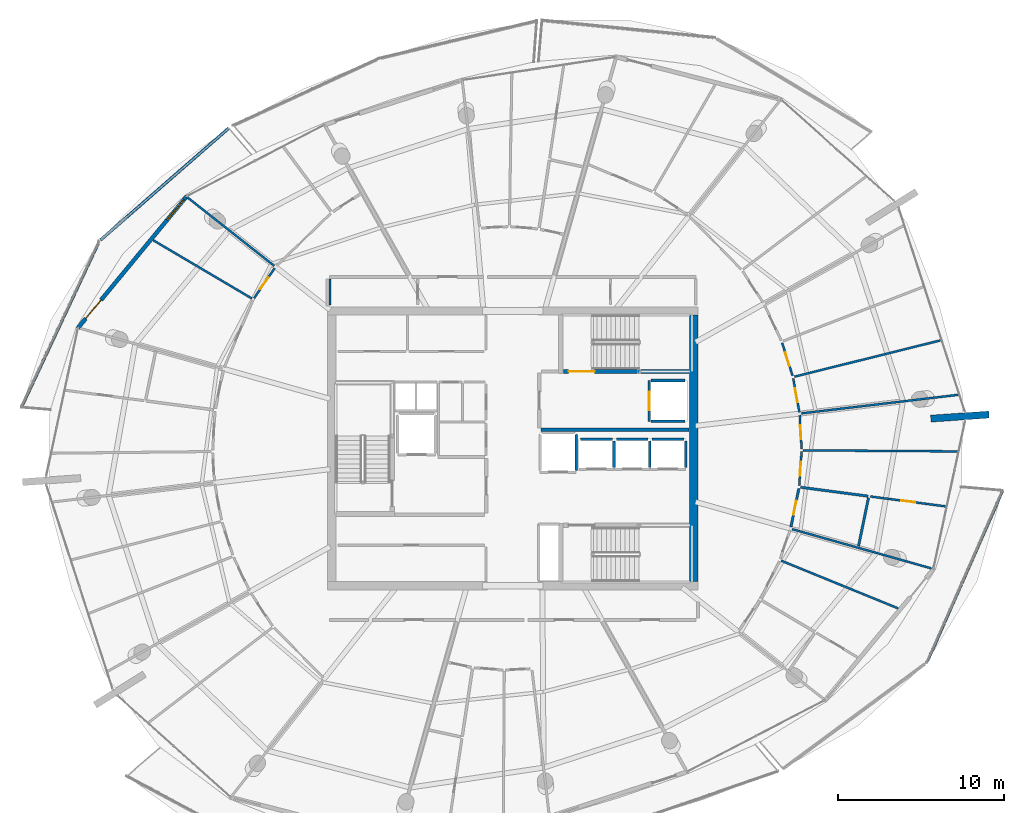
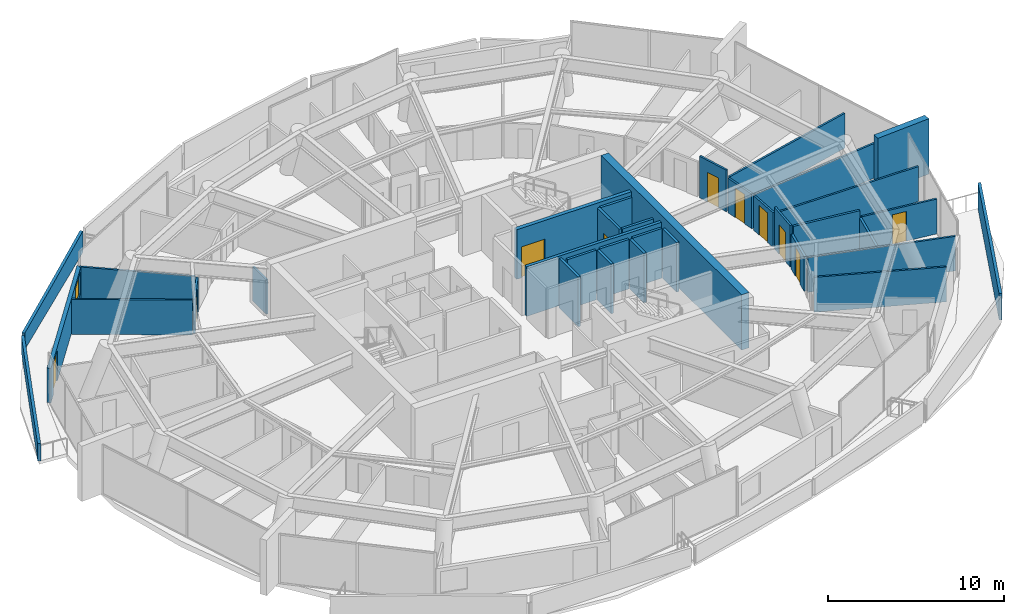
# One storey, part 17 of 24: 35 walls, 10 doors, 1 window, 11 openings.
"""IFC4 building model written with IfcOpenShell, lengths in metres."""

from ifc_helpers import new_model, si_unit, direction, frame, frame_2d, origin, place, context, subcontext, project, spatial, polyline, rectangle, outline, extrude, material, layer, layer_set, type_object, element, fill, save


model = new_model("IFC4")

# Units and contexts
model_context = context("Model", 3, precision=1e-05, world=origin(), true_north=direction((0.0, 1.0)))
body_context = subcontext(model_context, "Body", "Model", "MODEL_VIEW")
ifc_project = project(units=[si_unit("LENGTHUNIT", "METRE"), si_unit("AREAUNIT", "SQUARE_METRE"), si_unit("VOLUMEUNIT", "CUBIC_METRE"), si_unit("PLANEANGLEUNIT", "RADIAN"), si_unit("MASSUNIT", "GRAM", prefix="KILO")], contexts=[model_context])

# Site, building, storey
site_placement = place(None, origin())
site = spatial("IfcSite", under=ifc_project, at=site_placement, CompositionType="ELEMENT")
building_placement = place(site_placement, origin())
building = spatial("IfcBuilding", under=site, at=building_placement, Name="Kazma Halo Residences", CompositionType="ELEMENT")
storey_placement = place(building_placement, frame((0.0, 0.0, 309.85009765625)))
storey = spatial("IfcBuildingStorey", under=building, at=storey_placement, Name="L78", CompositionType="ELEMENT", Elevation=309.85009765625)

# Walls
ifc_material_1 = material(Name="White Concrete C50/60 Balustrade", Category="concrete")
ifc_layer_1 = layer(ifc_material_1, 0.179931640625)
ifc_layer_set_1 = layer_set([ifc_layer_1], Name="White Concrete C50/60 Balustrade")
wall_type_1 = type_object("IfcWallType", Name="WL-BAL-WAVE-180", PredefinedType="PARAPET", material=ifc_layer_set_1)
wall_1_placement = place(storey_placement, frame((31.361328125, 61.241943359375, 0.0), z_axis=(0.0, 0.0, 1.0), x_axis=(-0.7534952544, -0.657453345566, 0.0)))
element("IfcWall", 1, at=wall_1_placement, inside=storey, type_object=wall_type_1, Name="L78 white wave balustrade wall NW.1", PredefinedType="PARAPET", context=body_context, shape_type="SweptSolid", body=[
    extrude(outline(polyline([(0.0, 0.0), (10.21630859375, 0.0), (10.216552734375, 1.14794921875), (5.108154296875, 1.283935546875), (0.0, 1.48291015625), (0.0, 0.0)])), frame((0.0, 0.08984375, 0.0), z_axis=(0.0, -1.0, 0.0), x_axis=(1.0, 0.0, 0.0)), (0.0, 0.0, 1.0), 0.179931640625),
])
wall_2_placement = place(storey_placement, frame((23.522216796875, 54.33740234375, 0.0), z_axis=(0.0, 0.0, 1.0), x_axis=(-0.424215745361, -0.90556115276, 0.0)))
element("IfcWall", 2, at=wall_2_placement, inside=storey, type_object=wall_type_1, Name="L78 white wave balustrade wall NW.2", PredefinedType="PARAPET", context=body_context, shape_type="SweptSolid", body=[
    extrude(outline(polyline([(0.0, 0.0), (10.897216796875, 0.0), (10.897216796875, 1.223876953125), (5.448486328125, 1.126953125), (0.0, 1.14794921875), (0.0, 0.0)])), frame((0.0, 0.08984375, 0.0), z_axis=(0.0, -1.0, 0.0), x_axis=(1.0, 0.0, 0.0)), (0.0, 0.0, 1.0), 0.179931640625),
])
wall_3_placement = place(storey_placement, frame((73.33154296875, 29.227294921875, 0.0), z_axis=(0.0, 0.0, 1.0), x_axis=(0.403444700503, 0.915004029301, 0.0)))
element("IfcWall", 3, at=wall_3_placement, inside=storey, type_object=wall_type_1, Name="L78 white wave balustrade wall SE.2", PredefinedType="PARAPET", context=body_context, shape_type="SweptSolid", body=[
    extrude(outline(polyline([(0.0, 0.0), (11.19140625, 0.0), (11.19140625, 1.755859375), (5.595703125, 1.852783203125), (0.0, 1.831787109375), (0.0, 0.0)])), frame((0.0, 0.08984375, 0.0), z_axis=(0.0, -1.0, 0.0), x_axis=(1.0, 0.0, 0.0)), (0.0, 0.0, 1.0), 0.179931640625),
])
ifc_material_2 = material(Name="Pale Concrete C60/75", Category="concrete")
ifc_layer_2 = layer(ifc_material_2, 0.419921875)
ifc_layer_set_2 = layer_set([ifc_layer_2], Name="Pale Concrete C60/75")
wall_type_2 = type_object("IfcWallType", Name="WL-BLADE-420", PredefinedType="SOLIDWALL", material=ifc_layer_set_2)
wall_4_placement = place(storey_placement, frame((73.534423828125, 43.785400390625, 0.0), z_axis=(0.0, 0.0, 1.0), x_axis=(0.99755930726, 0.069824268692, 0.0)))
element("IfcWall", 4, at=wall_4_placement, inside=storey, type_object=wall_type_2, Name="L78 pale concrete structural blade fin wall BW-04", PredefinedType="SOLIDWALL", context=body_context, shape_type="SweptSolid", body=[
    extrude(rectangle(XDim=3.5, YDim=0.419921875, at=frame_2d((1.75, 0.0))), origin(), (0.0, 0.0, 1.0), 3.849853515625),
])
ifc_material_3 = material(Name="Concrete C60/75", Category="concrete")
ifc_layer_3 = layer(ifc_material_3, 0.5)
ifc_layer_set_3 = layer_set([ifc_layer_3], Name="Concrete C60/75")
wall_type_3 = type_object("IfcWallType", Name="WL-CORE-500", PredefinedType="SHEAR", material=ifc_layer_set_3)
wall_5_placement = place(storey_placement, frame((59.300048828125, 34.0, 0.0), z_axis=(0.0, 0.0, 1.0), x_axis=(0.0, 1.0, 0.0)))
element("IfcWall", 5, at=wall_5_placement, inside=storey, type_object=wall_type_3, Name="L78 central core shear wall E", PredefinedType="SHEAR", context=body_context, shape_type="SweptSolid", body=[
    extrude(rectangle(XDim=16.0, YDim=0.5, at=frame_2d((8.0, 0.0))), origin(), (0.0, 0.0, 1.0), 3.849853515625),
])

# Wall, openings, door, window
ifc_material_4 = material(Name="Insulated Pale-Metal Composite Wall")
ifc_layer_4 = layer(ifc_material_4, 0.239990234375)
ifc_layer_set_4 = layer_set([ifc_layer_4], Name="Insulated Pale-Metal Composite Wall")
wall_type_4 = type_object("IfcWallType", Name="WL-EXT-HOST-240", PredefinedType="SOLIDWALL", material=ifc_layer_set_4)
wall_6_placement = place(storey_placement, frame((28.847412109375, 57.162353515625, 0.0), z_axis=(0.0, 0.0, 1.0), x_axis=(-0.636756692318, -0.77106479286, 0.0)))
wall_6 = element("IfcWall", 6, at=wall_6_placement, inside=storey, type_object=wall_type_4, Name="L78 exterior terrace-access wall B06", PredefinedType="SOLIDWALL", context=body_context, shape_type="SweptSolid", body=[
    extrude(rectangle(XDim=10.317626953125, YDim=0.239990234375, at=frame_2d((5.15869140625, 0.0))), origin(), (0.0, 0.0, 1.0), 2.39990234375),
])
opening_1_placement = place(wall_6_placement, frame((8.09765625, 0.0, 0.0)))
opening_1 = element("IfcOpeningElement", 7, at=opening_1_placement, cuts=wall_6, Name="Opening DTR-1600", PredefinedType="OPENING", context=body_context, shape_type="SweptSolid", body=[
    extrude(rectangle(XDim=1.449951171875, YDim=2.14990234375, at=frame_2d((0.72509765625, 1.074951171875))), frame((0.0, 0.1298828125, 0.0), z_axis=(0.0, -1.0, 0.0), x_axis=(1.0, 0.0, 0.0)), (0.0, 0.0, 1.0), 0.260009765625),
])
opening_2_placement = place(wall_6_placement, frame((0.280029296875, 0.0, 0.64990234375)))
opening_2 = element("IfcOpeningElement", 8, at=opening_2_placement, cuts=wall_6, Name="Opening W-1800", PredefinedType="OPENING", context=body_context, shape_type="SweptSolid", body=[
    extrude(rectangle(XDim=1.60009765625, YDim=1.5, at=frame_2d((0.800048828125, 0.75))), frame((0.0, 0.1298828125, 0.0), z_axis=(0.0, -1.0, 0.0), x_axis=(1.0, 0.0, 0.0)), (0.0, 0.0, 1.0), 0.260009765625),
])
ifc_material_5 = material(Name="Aluminium AW-6063 T6 Double-Glazed Terrace Door", Category="aluminium")
door_type_1 = type_object("IfcDoorType", Name="DR-EXT-TERR-1600", OperationType="NOTDEFINED", PredefinedType="DOOR", material=ifc_material_5)
door_1_placement = place(opening_1_placement, origin())
door_1 = element("IfcDoor", 9, at=door_1_placement, inside=storey, type_object=door_type_1, Name="L78 B06 balcony terrace door", OperationType="DOUBLE_DOOR_SLIDING", OverallHeight=2.14990234375, OverallWidth=1.449951171875, PredefinedType="DOOR", context=body_context, shape_type="SweptSolid", body=[
    extrude(rectangle(XDim=1.449951171875, YDim=2.14990234375, at=frame_2d((0.72509765625, 1.074951171875))), frame((0.0, 0.02490234375, 0.0), z_axis=(0.0, -1.0, 0.0), x_axis=(1.0, 0.0, 0.0)), (0.0, 0.0, 1.0), 0.050048828125),
])
fill(opening_1, door_1)
ifc_material_6 = material(Name="Clear Triple-Silver Low-E Glass in Aluminium AW-6063 T6 Frame", Category="aluminium")
window_type = type_object("IfcWindowType", Name="WIN-RES-1800", PartitioningType="DOUBLE_PANEL_VERTICAL", PredefinedType="WINDOW", material=ifc_material_6)
window_placement = place(opening_2_placement, origin())
window = element("IfcWindow", 10, at=window_placement, inside=storey, type_object=window_type, Name="L78 B06 apartment window", OverallHeight=1.5, OverallWidth=1.60009765625, PartitioningType="SINGLE_PANEL", PredefinedType="WINDOW", context=body_context, shape_type="SweptSolid", body=[
    extrude(rectangle(XDim=1.60009765625, YDim=1.5, at=frame_2d((0.800048828125, 0.75))), frame((0.0, 0.030029296875, 0.0), z_axis=(0.0, -1.0, 0.0), x_axis=(1.0, 0.0, 0.0)), (0.0, 0.0, 1.0), 0.06005859375),
])
fill(opening_2, window)

# Walls
ifc_material_7 = material(Name="Fire-Rated Blockwork Masonry", Category="masonry")
ifc_layer_5 = layer(ifc_material_7, 0.199951171875)
ifc_layer_set_5 = layer_set([ifc_layer_5], Name="Fire-Rated Blockwork Masonry")
wall_type_5 = type_object("IfcWallType", Name="WL-FLB-200", PredefinedType="PARTITIONING", material=ifc_layer_set_5)
wall_7_placement = place(storey_placement, frame((54.5048828125, 40.844970703125, 0.0), z_axis=(0.0, 0.0, 1.0), x_axis=(0.0, 1.0, 0.0)))
element("IfcWall", 11, at=wall_7_placement, inside=storey, type_object=wall_type_5, Name="L78 lift shaft PH-01 side wall E", PredefinedType="PARTITIONING", context=body_context, shape_type="SweptSolid", body=[
    extrude(rectangle(XDim=1.610107421875, YDim=0.159912109375, at=frame_2d((0.80517578125, 0.0))), origin(), (0.0, 0.0, 1.0), 3.449951171875),
])
wall_8_placement = place(storey_placement, frame((52.4951171875, 42.554931640625, 0.0), z_axis=(0.0, 0.0, 1.0), x_axis=(1.0, 0.0, 0.0)))
element("IfcWall", 12, at=wall_8_placement, inside=storey, type_object=wall_type_5, Name="L78 lift shaft PH-01 side wall N", PredefinedType="PARTITIONING", context=body_context, shape_type="SweptSolid", body=[
    extrude(rectangle(XDim=1.909912109375, YDim=0.159912109375, at=frame_2d((0.955078125, 0.0))), origin(), (0.0, 0.0, 1.0), 3.449951171875),
])
wall_9_placement = place(storey_placement, frame((56.655029296875, 40.844970703125, 0.0), z_axis=(0.0, 0.0, 1.0), x_axis=(0.0, 1.0, 0.0)))
element("IfcWall", 13, at=wall_9_placement, inside=storey, type_object=wall_type_5, Name="L78 lift shaft PH-02 side wall E", PredefinedType="PARTITIONING", context=body_context, shape_type="SweptSolid", body=[
    extrude(rectangle(XDim=1.610107421875, YDim=0.159912109375, at=frame_2d((0.80517578125, 0.0))), origin(), (0.0, 0.0, 1.0), 3.449951171875),
])
wall_10_placement = place(storey_placement, frame((54.64501953125, 42.554931640625, 0.0), z_axis=(0.0, 0.0, 1.0), x_axis=(1.0, 0.0, 0.0)))
element("IfcWall", 14, at=wall_10_placement, inside=storey, type_object=wall_type_5, Name="L78 lift shaft PH-02 side wall N", PredefinedType="PARTITIONING", context=body_context, shape_type="SweptSolid", body=[
    extrude(rectangle(XDim=1.909912109375, YDim=0.159912109375, at=frame_2d((0.955078125, 0.0))), origin(), (0.0, 0.0, 1.0), 3.449951171875),
])
wall_11_placement = place(storey_placement, frame((58.804931640625, 40.844970703125, 0.0), z_axis=(0.0, 0.0, 1.0), x_axis=(0.0, 1.0, 0.0)))
element("IfcWall", 15, at=wall_11_placement, inside=storey, type_object=wall_type_5, Name="L78 lift shaft PH-03 side wall E", PredefinedType="PARTITIONING", context=body_context, shape_type="SweptSolid", body=[
    extrude(rectangle(XDim=1.610107421875, YDim=0.159912109375, at=frame_2d((0.80517578125, 0.0))), origin(), (0.0, 0.0, 1.0), 3.449951171875),
])
wall_12_placement = place(storey_placement, frame((56.794921875, 42.554931640625, 0.0), z_axis=(0.0, 0.0, 1.0), x_axis=(1.0, 0.0, 0.0)))
element("IfcWall", 16, at=wall_12_placement, inside=storey, type_object=wall_type_5, Name="L78 lift shaft PH-03 side wall N", PredefinedType="PARTITIONING", context=body_context, shape_type="SweptSolid", body=[
    extrude(rectangle(XDim=1.91015625, YDim=0.159912109375, at=frame_2d((0.955078125, 0.0))), origin(), (0.0, 0.0, 1.0), 3.449951171875),
])

# Wall, opening, door
wall_13_placement = place(storey_placement, frame((56.6201171875, 46.080078125, 0.0), z_axis=(0.0, 0.0, 1.0), x_axis=(0.0, -1.0, 0.0)))
wall_13 = element("IfcWall", 17, at=wall_13_placement, inside=storey, type_object=wall_type_5, Name="L78 lift shaft FL-02 front wall", PredefinedType="PARTITIONING", context=body_context, shape_type="SweptSolid", body=[
    extrude(rectangle(XDim=2.4599609375, YDim=0.159912109375, at=frame_2d((1.22998046875, 0.0))), origin(), (0.0, 0.0, 1.0), 3.449951171875),
])
opening_3_placement = place(wall_13_placement, frame((0.679931640625, 0.0, 0.0)))
opening_3 = element("IfcOpeningElement", 18, at=opening_3_placement, cuts=wall_13, Name="Opening LD-FL-02", PredefinedType="OPENING", context=body_context, shape_type="SweptSolid", body=[
    extrude(rectangle(XDim=1.10009765625, YDim=2.10009765625, at=frame_2d((0.550048828125, 1.050048828125))), frame((0.0, 0.08984375, 0.0), z_axis=(0.0, -1.0, 0.0), x_axis=(1.0, 0.0, 0.0)), (0.0, 0.0, 1.0), 0.179931640625),
])
ifc_material_8 = material(Name="Stainless Steel Fire-Rated", Category="steel")
door_type_2 = type_object("IfcDoorType", Name="DR-LIFT-SLD-1100", OperationType="DOUBLE_DOOR_SLIDING", PredefinedType="DOOR", material=ifc_material_8)
door_2_placement = place(opening_3_placement, origin())
door_2 = element("IfcDoor", 19, at=door_2_placement, inside=storey, type_object=door_type_2, Name="L78 lift FL-02 sliding landing door", OperationType="DOUBLE_DOOR_SLIDING", OverallHeight=2.10009765625, OverallWidth=1.10009765625, PredefinedType="DOOR", context=body_context, shape_type="SweptSolid", body=[
    extrude(rectangle(XDim=1.10009765625, YDim=2.10009765625, at=frame_2d((0.550048828125, 1.050048828125))), frame((0.0, 0.02490234375, 0.0), z_axis=(0.0, -1.0, 0.0), x_axis=(1.0, 0.0, 0.0)), (0.0, 0.0, 1.0), 0.050048828125),
])
fill(opening_3, door_2)

# Walls
for number, where, z_axis, x_axis, name in (
    (20, (56.719970703125, 46.080078125, 0.0), (0.0, 0.0, 1.0), (1.0, 0.0, 0.0), "L78 lift shaft FL-02 side wall N"),
    (21, (56.719970703125, 43.6201171875, 0.0), (0.0, 0.0, 1.0), (1.0, 0.0, 0.0), "L78 lift shaft FL-02 side wall S"),
):
    element("IfcWall", number, at=place(storey_placement, frame(where, z_axis=z_axis, x_axis=x_axis)), inside=storey, type_object=wall_type_5, Name=name, PredefinedType="PARTITIONING", context=body_context, shape_type="SweptSolid", body=[
        extrude(rectangle(XDim=2.06005859375, YDim=0.159912109375, at=frame_2d((1.030029296875, 0.0))), origin(), (0.0, 0.0, 1.0), 3.449951171875),
    ])
wall_14_placement = place(storey_placement, frame((52.22998046875, 40.669921875, 0.0), z_axis=(0.0, 0.0, 1.0), x_axis=(0.0, 1.0, 0.0)))
element("IfcWall", 22, at=wall_14_placement, inside=storey, type_object=wall_type_5, Name="L78 lift shaft SV-01 side wall E", PredefinedType="PARTITIONING", context=body_context, shape_type="SweptSolid", body=[
    extrude(rectangle(XDim=2.16015625, YDim=0.159912109375, at=frame_2d((1.080078125, 0.0))), origin(), (0.0, 0.0, 1.0), 3.449951171875),
])
wall_15_placement = place(storey_placement, frame((50.1201171875, 43.1201171875, 0.0), z_axis=(0.0, 0.0, 1.0), x_axis=(1.0, 0.0, 0.0)))
element("IfcWall", 23, at=wall_15_placement, inside=storey, type_object=wall_type_5, Name="L78 east firefighting lobby south smoke wall", PredefinedType="PARTITIONING", context=body_context, shape_type="SweptSolid", body=[
    extrude(rectangle(XDim=8.8798828125, YDim=0.199951171875, at=frame_2d((4.43994140625, 0.0))), origin(), (0.0, 0.0, 1.0), 3.449951171875),
])
ifc_material_9 = material(Name="Gypsum Plasterboard Partition")
ifc_layer_6 = layer(ifc_material_9, 0.125)
ifc_layer_set_6 = layer_set([ifc_layer_6], Name="Gypsum Plasterboard Partition")
wall_type_6 = type_object("IfcWallType", Name="WL-PART-125", PredefinedType="PARTITIONING", material=ifc_layer_set_6)
wall_16_placement = place(storey_placement, frame((37.43994140625, 50.6201171875, 0.0), z_axis=(0.0, 0.0, 1.0), x_axis=(0.0, 1.0, 0.0)))
element("IfcWall", 24, at=wall_16_placement, inside=storey, type_object=wall_type_6, Name="L78 west linen end wall", PredefinedType="PARTITIONING", context=body_context, shape_type="SweptSolid", body=[
    extrude(rectangle(XDim=1.539794921875, YDim=0.125, at=frame_2d((0.77001953125, 0.0))), origin(), (0.0, 0.0, 1.0), 2.406982421875),
])
wall_17_placement = place(storey_placement, frame((34.090576171875, 52.96533203125, 0.0), z_axis=(0.0, 0.0, 1.0), x_axis=(-0.785312143476, 0.619100022056, 0.0)))
element("IfcWall", 25, at=wall_17_placement, inside=storey, type_object=wall_type_6, Name="L78 Apartment 2 radial partition 5", PredefinedType="PARTITIONING", context=body_context, shape_type="SweptSolid", body=[
    extrude(rectangle(XDim=6.692138671875, YDim=0.125, at=frame_2d((3.34619140625, 0.0))), origin(), (0.0, 0.0, 1.0), 2.406982421875),
])
wall_18_placement = place(storey_placement, frame((32.756103515625, 50.9990234375, 0.0), z_axis=(0.0, 0.0, 1.0), x_axis=(-0.861142710643, 0.508363287332, 0.0)))
element("IfcWall", 26, at=wall_18_placement, inside=storey, type_object=wall_type_6, Name="L78 Apartment 2 mid-bay wall 5", PredefinedType="PARTITIONING", context=body_context, shape_type="SweptSolid", body=[
    extrude(rectangle(XDim=6.899658203125, YDim=0.125, at=frame_2d((3.44970703125, 0.0))), origin(), (0.0, 0.0, 1.0), 2.4248046875),
])

# Wall, opening, door
wall_19_placement = place(storey_placement, frame((34.112548828125, 52.821044921875, 0.0), z_axis=(0.0, 0.0, 1.0), x_axis=(-0.56495242949, -0.825123477071, 0.0)))
wall_19 = element("IfcWall", 27, at=wall_19_placement, inside=storey, type_object=wall_type_6, Name="L78 Apartment 2 Primary Bedroom hall wall", PredefinedType="PARTITIONING", context=body_context, shape_type="SweptSolid", body=[
    extrude(rectangle(XDim=2.18359375, YDim=0.125, at=frame_2d((1.091796875, 0.0))), origin(), (0.0, 0.0, 1.0), 2.406982421875),
])
opening_4_placement = place(wall_19_placement, frame((0.666748046875, 0.0, 0.0)))
opening_4 = element("IfcOpeningElement", 28, at=opening_4_placement, cuts=wall_19, Name="Opening DB-900", PredefinedType="OPENING", context=body_context, shape_type="SweptSolid", body=[
    extrude(rectangle(XDim=0.85009765625, YDim=2.06005859375, at=frame_2d((0.425048828125, 1.030029296875))), frame((0.0, 0.072509765625, 0.0), z_axis=(0.0, -1.0, 0.0), x_axis=(1.0, 0.0, 0.0)), (0.0, 0.0, 1.0), 0.14501953125),
])
ifc_material_10 = material(Name="Moisture-Sealed Timber Leaf", Category="wood")
door_type_3 = type_object("IfcDoorType", Name="DR-BTH-900", OperationType="NOTDEFINED", PredefinedType="DOOR", material=ifc_material_10)
door_3_placement = place(opening_4_placement, origin())
door_3 = element("IfcDoor", 29, at=door_3_placement, inside=storey, type_object=door_type_3, Name="L78 Apartment 2 Primary Bedroom door", OperationType="SINGLE_SWING_RIGHT", OverallHeight=2.06005859375, OverallWidth=0.85009765625, PredefinedType="DOOR", context=body_context, shape_type="SweptSolid", body=[
    extrude(rectangle(XDim=0.85009765625, YDim=2.06005859375, at=frame_2d((0.425048828125, 1.030029296875))), frame((0.0, 0.02490234375, 0.0), z_axis=(0.0, -1.0, 0.0), x_axis=(1.0, 0.0, 0.0)), (0.0, 0.0, 1.0), 0.050048828125),
])
fill(opening_4, door_3)

# Walls
wall_20_placement = place(storey_placement, frame((64.54345703125, 35.254150390625, 0.0), z_axis=(0.0, 0.0, 1.0), x_axis=(0.925976301028, -0.377581633471, 0.0)))
element("IfcWall", 30, at=wall_20_placement, inside=storey, type_object=wall_type_6, Name="L78 Apartment 4 suite divider 13", PredefinedType="PARTITIONING", context=body_context, shape_type="SweptSolid", body=[
    extrude(rectangle(XDim=7.59814453125, YDim=0.125, at=frame_2d((3.799072265625, 0.0))), origin(), (0.0, 0.0, 1.0), 2.4248046875),
])
wall_21_placement = place(storey_placement, frame((65.204833984375, 37.147705078125, 0.0), z_axis=(0.0, 0.0, 1.0), x_axis=(0.962453251117, -0.27144748924, 0.0)))
element("IfcWall", 31, at=wall_21_placement, inside=storey, type_object=wall_type_6, Name="L78 Apartment 4 radial partition 14", PredefinedType="PARTITIONING", context=body_context, shape_type="SweptSolid", body=[
    extrude(rectangle(XDim=8.69189453125, YDim=0.125, at=frame_2d((4.345947265625, 0.0))), origin(), (0.0, 0.0, 1.0), 2.406982421875),
])

# Wall, opening, door
wall_22_placement = place(storey_placement, frame((69.896240234375, 39.111328125, 0.0), z_axis=(0.0, 0.0, 1.0), x_axis=(0.991414082931, -0.130759765088, 0.0)))
wall_22 = element("IfcWall", 32, at=wall_22_placement, inside=storey, type_object=wall_type_6, Name="L78 Apartment 4 Secondary Walk-In Wardrobe partition wall", PredefinedType="PARTITIONING", context=body_context, shape_type="SweptSolid", body=[
    extrude(rectangle(XDim=4.613525390625, YDim=0.125, at=frame_2d((2.306640625, 0.0))), origin(), (0.0, 0.0, 1.0), 2.4248046875),
])
opening_5_placement = place(wall_22_placement, frame((1.881591796875, 0.0, 0.0)))
opening_5 = element("IfcOpeningElement", 33, at=opening_5_placement, cuts=wall_22, Name="Opening DB-900", PredefinedType="OPENING", context=body_context, shape_type="SweptSolid", body=[
    extrude(rectangle(XDim=0.85009765625, YDim=2.06005859375, at=frame_2d((0.425048828125, 1.030029296875))), frame((0.0, 0.072509765625, 0.0), z_axis=(0.0, -1.0, 0.0), x_axis=(1.0, 0.0, 0.0)), (0.0, 0.0, 1.0), 0.14501953125),
])
door_4_placement = place(opening_5_placement, origin())
door_4 = element("IfcDoor", 34, at=door_4_placement, inside=storey, type_object=door_type_3, Name="L78 Apartment 4 Secondary Walk-In Wardrobe door", OperationType="SINGLE_SWING_RIGHT", OverallHeight=2.06005859375, OverallWidth=0.85009765625, PredefinedType="DOOR", context=body_context, shape_type="SweptSolid", body=[
    extrude(rectangle(XDim=0.85009765625, YDim=2.06005859375, at=frame_2d((0.425048828125, 1.030029296875))), frame((0.0, 0.02490234375, 0.0), z_axis=(0.0, -1.0, 0.0), x_axis=(1.0, 0.0, 0.0)), (0.0, 0.0, 1.0), 0.050048828125),
])
fill(opening_5, door_4)

# Wall
wall_23_placement = place(storey_placement, frame((65.865478515625, 41.880615234375, 0.0), z_axis=(0.0, 0.0, 1.0), x_axis=(0.999977842534, -0.006656909239, 0.0)))
element("IfcWall", 35, at=wall_23_placement, inside=storey, type_object=wall_type_6, Name="L78 Apartment 4 suite divider 14", PredefinedType="PARTITIONING", context=body_context, shape_type="SweptSolid", body=[
    extrude(rectangle(XDim=9.3154296875, YDim=0.125, at=frame_2d((4.65771484375, 0.0))), origin(), (0.0, 0.0, 1.0), 2.4248046875),
])

# Wall, opening, door
wall_24_placement = place(storey_placement, frame((65.62939453125, 39.764892578125, 0.0), z_axis=(0.0, 0.0, 1.0), x_axis=(0.068884177228, 0.997624663953, 0.0)))
wall_24 = element("IfcWall", 36, at=wall_24_placement, inside=storey, type_object=wall_type_6, Name="L78 Apartment 4 East Private Study hall wall", PredefinedType="PARTITIONING", context=body_context, shape_type="SweptSolid", body=[
    extrude(rectangle(XDim=2.04150390625, YDim=0.125, at=frame_2d((1.020751953125, 0.0))), origin(), (0.0, 0.0, 1.0), 2.889892578125),
])
opening_6_placement = place(wall_24_placement, frame((0.595703125, 0.0, 0.0)))
opening_6 = element("IfcOpeningElement", 37, at=opening_6_placement, cuts=wall_24, Name="Opening DB-900", PredefinedType="OPENING", context=body_context, shape_type="SweptSolid", body=[
    extrude(rectangle(XDim=0.85009765625, YDim=2.06005859375, at=frame_2d((0.425048828125, 1.030029296875))), frame((0.0, 0.072509765625, 0.0), z_axis=(0.0, -1.0, 0.0), x_axis=(1.0, 0.0, 0.0)), (0.0, 0.0, 1.0), 0.14501953125),
])
door_5_placement = place(opening_6_placement, origin())
door_5 = element("IfcDoor", 38, at=door_5_placement, inside=storey, type_object=door_type_3, Name="L78 Apartment 4 East Private Study door", OperationType="SINGLE_SWING_LEFT", OverallHeight=2.06005859375, OverallWidth=0.85009765625, PredefinedType="DOOR", context=body_context, shape_type="SweptSolid", body=[
    extrude(rectangle(XDim=0.85009765625, YDim=2.06005859375, at=frame_2d((0.425048828125, 1.030029296875))), frame((0.0, 0.02490234375, 0.0), z_axis=(0.0, -1.0, 0.0), x_axis=(1.0, 0.0, 0.0)), (0.0, 0.0, 1.0), 0.050048828125),
])
fill(opening_6, door_5)

wall_25_placement = place(storey_placement, frame((65.771240234375, 41.961181640625, 0.0), z_axis=(0.0, 0.0, 1.0), x_axis=(-0.055523268632, 0.998457393503, 0.0)))
wall_25 = element("IfcWall", 39, at=wall_25_placement, inside=storey, type_object=wall_type_6, Name="L78 Apartment 4 West Master Bedroom hall wall", PredefinedType="PARTITIONING", context=body_context, shape_type="SweptSolid", body=[
    extrude(rectangle(XDim=2.031494140625, YDim=0.125, at=frame_2d((1.015625, 0.0))), origin(), (0.0, 0.0, 1.0), 2.406982421875),
])
opening_7_placement = place(wall_25_placement, frame((0.5908203125, 0.0, 0.0)))
opening_7 = element("IfcOpeningElement", 40, at=opening_7_placement, cuts=wall_25, Name="Opening DB-900", PredefinedType="OPENING", context=body_context, shape_type="SweptSolid", body=[
    extrude(rectangle(XDim=0.85009765625, YDim=2.06005859375, at=frame_2d((0.425048828125, 1.030029296875))), frame((0.0, 0.072509765625, 0.0), z_axis=(0.0, -1.0, 0.0), x_axis=(1.0, 0.0, 0.0)), (0.0, 0.0, 1.0), 0.14501953125),
])
door_6_placement = place(opening_7_placement, origin())
door_6 = element("IfcDoor", 41, at=door_6_placement, inside=storey, type_object=door_type_3, Name="L78 Apartment 4 West Master Bedroom door", OperationType="SINGLE_SWING_RIGHT", OverallHeight=2.06005859375, OverallWidth=0.85009765625, PredefinedType="DOOR", context=body_context, shape_type="SweptSolid", body=[
    extrude(rectangle(XDim=0.85009765625, YDim=2.06005859375, at=frame_2d((0.425048828125, 1.030029296875))), frame((0.0, 0.02490234375, 0.0), z_axis=(0.0, -1.0, 0.0), x_axis=(1.0, 0.0, 0.0)), (0.0, 0.0, 1.0), 0.050048828125),
])
fill(opening_7, door_6)

# Walls
wall_26_placement = place(storey_placement, frame((65.752197265625, 44.10107421875, 0.0), z_axis=(0.0, 0.0, 1.0), x_axis=(0.993067764639, 0.117543246658, 0.0)))
element("IfcWall", 42, at=wall_26_placement, inside=storey, type_object=wall_type_6, Name="L78 Apartment 4 radial partition 15", PredefinedType="PARTITIONING", context=body_context, shape_type="SweptSolid", body=[
    extrude(rectangle(XDim=9.5439453125, YDim=0.125, at=frame_2d((4.77197265625, 0.0))), origin(), (0.0, 0.0, 1.0), 2.406982421875),
])
wall_27_placement = place(storey_placement, frame((65.339111328125, 46.30712890625, 0.0), z_axis=(0.0, 0.0, 1.0), x_axis=(0.970504630961, 0.241082478175, 0.0)))
element("IfcWall", 43, at=wall_27_placement, inside=storey, type_object=wall_type_6, Name="L78 Apartment 4 bay wall 1 15", PredefinedType="PARTITIONING", context=body_context, shape_type="SweptSolid", body=[
    extrude(rectangle(XDim=9.093994140625, YDim=0.125, at=frame_2d((4.546875, 0.0))), origin(), (0.0, 0.0, 1.0), 2.4248046875),
])

# Wall, opening, door
wall_28_placement = place(storey_placement, frame((65.638427734375, 44.16796875, 0.0), z_axis=(0.0, 0.0, 1.0), x_axis=(-0.179642120357, 0.983732030887, 0.0)))
wall_28 = element("IfcWall", 44, at=wall_28_placement, inside=storey, type_object=wall_type_6, Name="L78 Apartment 4 North Bedroom hall wall", PredefinedType="PARTITIONING", context=body_context, shape_type="SweptSolid", body=[
    extrude(rectangle(XDim=2.072509765625, YDim=0.125, at=frame_2d((1.0361328125, 0.0))), origin(), (0.0, 0.0, 1.0), 2.406982421875),
])
opening_8_placement = place(wall_28_placement, frame((0.611083984375, 0.0, 0.0)))
opening_8 = element("IfcOpeningElement", 45, at=opening_8_placement, cuts=wall_28, Name="Opening DB-900", PredefinedType="OPENING", context=body_context, shape_type="SweptSolid", body=[
    extrude(rectangle(XDim=0.85009765625, YDim=2.06005859375, at=frame_2d((0.425048828125, 1.030029296875))), frame((0.0, 0.072509765625, 0.0), z_axis=(0.0, -1.0, 0.0), x_axis=(1.0, 0.0, 0.0)), (0.0, 0.0, 1.0), 0.14501953125),
])
door_7_placement = place(opening_8_placement, origin())
door_7 = element("IfcDoor", 46, at=door_7_placement, inside=storey, type_object=door_type_3, Name="L78 Apartment 4 North Bedroom door", OperationType="SINGLE_SWING_LEFT", OverallHeight=2.06005859375, OverallWidth=0.85009765625, PredefinedType="DOOR", context=body_context, shape_type="SweptSolid", body=[
    extrude(rectangle(XDim=0.85009765625, YDim=2.06005859375, at=frame_2d((0.425048828125, 1.030029296875))), frame((0.0, 0.02490234375, 0.0), z_axis=(0.0, -1.0, 0.0), x_axis=(1.0, 0.0, 0.0)), (0.0, 0.0, 1.0), 0.050048828125),
])
fill(opening_8, door_7)

wall_29_placement = place(storey_placement, frame((65.2275390625, 46.36181640625, 0.0), z_axis=(0.0, 0.0, 1.0), x_axis=(-0.301520440564, 0.953459712795, 0.0)))
wall_29 = element("IfcWall", 47, at=wall_29_placement, inside=storey, type_object=wall_type_6, Name="L78 Apartment 4 South Study hall wall", PredefinedType="PARTITIONING", context=body_context, shape_type="SweptSolid", body=[
    extrude(rectangle(XDim=2.072021484375, YDim=0.125, at=frame_2d((1.0361328125, 0.0))), origin(), (0.0, 0.0, 1.0), 2.889892578125),
])
opening_9_placement = place(wall_29_placement, frame((0.611083984375, 0.0, 0.0)))
opening_9 = element("IfcOpeningElement", 48, at=opening_9_placement, cuts=wall_29, Name="Opening DB-900", PredefinedType="OPENING", context=body_context, shape_type="SweptSolid", body=[
    extrude(rectangle(XDim=0.85009765625, YDim=2.06005859375, at=frame_2d((0.425048828125, 1.030029296875))), frame((0.0, 0.072509765625, 0.0), z_axis=(0.0, -1.0, 0.0), x_axis=(1.0, 0.0, 0.0)), (0.0, 0.0, 1.0), 0.14501953125),
])
door_8_placement = place(opening_9_placement, origin())
door_8 = element("IfcDoor", 49, at=door_8_placement, inside=storey, type_object=door_type_3, Name="L78 Apartment 4 South Study door", OperationType="SINGLE_SWING_RIGHT", OverallHeight=2.06005859375, OverallWidth=0.85009765625, PredefinedType="DOOR", context=body_context, shape_type="SweptSolid", body=[
    extrude(rectangle(XDim=0.85009765625, YDim=2.06005859375, at=frame_2d((0.425048828125, 1.030029296875))), frame((0.0, 0.02490234375, 0.0), z_axis=(0.0, -1.0, 0.0), x_axis=(1.0, 0.0, 0.0)), (0.0, 0.0, 1.0), 0.050048828125),
])
fill(opening_9, door_8)

ifc_material_11 = material(Name="Concrete C50/60", Category="concrete")
ifc_layer_7 = layer(ifc_material_11, 0.25)
ifc_layer_set_7 = layer_set([ifc_layer_7], Name="Concrete C50/60")
wall_type_7 = type_object("IfcWallType", Name="WL-SHF-250", PredefinedType="SOLIDWALL", material=ifc_layer_set_7)
wall_30_placement = place(storey_placement, frame((51.47998046875, 46.6201171875, 0.0), z_axis=(0.0, 0.0, 1.0), x_axis=(1.0, 0.0, 0.0)))
wall_30 = element("IfcWall", 50, at=wall_30_placement, inside=storey, type_object=wall_type_7, Name="L78 exit stair ST-02 enclosure wall", PredefinedType="SOLIDWALL", context=body_context, shape_type="SweptSolid", body=[
    extrude(rectangle(XDim=7.5400390625, YDim=0.25, at=frame_2d((3.77001953125, 0.0))), origin(), (0.0, 0.0, 1.0), 3.449951171875),
])
opening_10_placement = place(wall_30_placement, frame((0.300048828125, 0.0, 0.0)))
opening_10 = element("IfcOpeningElement", 51, at=opening_10_placement, cuts=wall_30, Name="Opening D-ST2", PredefinedType="OPENING", context=body_context, shape_type="SweptSolid", body=[
    extrude(rectangle(XDim=1.550048828125, YDim=2.14990234375, at=frame_2d((0.77490234375, 1.074951171875))), frame((0.0, 0.135009765625, 0.0), z_axis=(0.0, -1.0, 0.0), x_axis=(1.0, 0.0, 0.0)), (0.0, 0.0, 1.0), 0.27001953125),
])
ifc_material_12 = material(Name="Fire-Rated Double Steel Leaf", Category="steel")
door_type_4 = type_object("IfcDoorType", Name="DR-FD90-1550", OperationType="NOTDEFINED", PredefinedType="DOOR", material=ifc_material_12)
door_9_placement = place(opening_10_placement, origin())
door_9 = element("IfcDoor", 52, at=door_9_placement, inside=storey, type_object=door_type_4, Name="L78 exit stair ST-02 fire door", OperationType="DOUBLE_DOOR_SINGLE_SWING", OverallHeight=2.14990234375, OverallWidth=1.550048828125, PredefinedType="DOOR", context=body_context, shape_type="SweptSolid", body=[
    extrude(rectangle(XDim=1.550048828125, YDim=2.14990234375, at=frame_2d((0.77490234375, 1.074951171875))), frame((0.0, 0.02490234375, 0.0), z_axis=(0.0, -1.0, 0.0), x_axis=(1.0, 0.0, 0.0)), (0.0, 0.0, 1.0), 0.050048828125),
])
fill(opening_10, door_9)

ifc_material_13 = material(Name="Moisture-Resistant Gypsum")
ifc_layer_8 = layer(ifc_material_13, 0.14990234375)
ifc_layer_set_8 = layer_set([ifc_layer_8], Name="Moisture-Resistant Gypsum")
wall_type_8 = type_object("IfcWallType", Name="WL-WET-150", PredefinedType="PARTITIONING", material=ifc_layer_set_8)
wall_31_placement = place(storey_placement, frame((65.12890625, 37.272705078125, 0.0), z_axis=(0.0, 0.0, 1.0), x_axis=(0.201597524987, 0.979468446617, 0.0)))
wall_31 = element("IfcWall", 53, at=wall_31_placement, inside=storey, type_object=wall_type_8, Name="L78 Apartment 4 Primary En-Suite Bathroom hall wall", PredefinedType="PARTITIONING", context=body_context, shape_type="SweptSolid", body=[
    extrude(rectangle(XDim=2.36279296875, YDim=0.14990234375, at=frame_2d((1.181396484375, 0.0))), origin(), (0.0, 0.0, 1.0), 2.406982421875),
])
opening_11_placement = place(wall_31_placement, frame((0.75634765625, 0.0, 0.0)))
opening_11 = element("IfcOpeningElement", 54, at=opening_11_placement, cuts=wall_31, Name="Opening DB-900", PredefinedType="OPENING", context=body_context, shape_type="SweptSolid", body=[
    extrude(rectangle(XDim=0.85009765625, YDim=2.06005859375, at=frame_2d((0.425048828125, 1.030029296875))), frame((0.0, 0.0849609375, 0.0), z_axis=(0.0, -1.0, 0.0), x_axis=(1.0, 0.0, 0.0)), (0.0, 0.0, 1.0), 0.169921875),
])
door_10_placement = place(opening_11_placement, origin())
door_10 = element("IfcDoor", 55, at=door_10_placement, inside=storey, type_object=door_type_3, Name="L78 Apartment 4 Primary En-Suite Bathroom door", OperationType="SINGLE_SWING_LEFT", OverallHeight=2.06005859375, OverallWidth=0.85009765625, PredefinedType="DOOR", context=body_context, shape_type="SweptSolid", body=[
    extrude(rectangle(XDim=0.85009765625, YDim=2.06005859375, at=frame_2d((0.425048828125, 1.030029296875))), frame((0.0, 0.02490234375, 0.0), z_axis=(0.0, -1.0, 0.0), x_axis=(1.0, 0.0, 0.0)), (0.0, 0.0, 1.0), 0.050048828125),
])
fill(opening_11, door_10)

# Walls
wall_32_placement = place(storey_placement, frame((69.1904296875, 36.127197265625, 0.0), z_axis=(0.0, 0.0, 1.0), x_axis=(0.201648279835, 0.979457998711, 0.0)))
element("IfcWall", 56, at=wall_32_placement, inside=storey, type_object=wall_type_8, Name="L78 Apartment 4 Primary En-Suite Bathroom back wall", PredefinedType="PARTITIONING", context=body_context, shape_type="SweptSolid", body=[
    extrude(rectangle(XDim=2.96875, YDim=0.14990234375, at=frame_2d((1.484375, 0.0))), origin(), (0.0, 0.0, 1.0), 2.406982421875),
])
wall_33_placement = place(storey_placement, frame((65.71240234375, 39.663330078125, 0.0), z_axis=(0.0, 0.0, 1.0), x_axis=(0.991410965895, -0.130783396127, 0.0)))
element("IfcWall", 57, at=wall_33_placement, inside=storey, type_object=wall_type_8, Name="L78 Apartment 4 Primary En-Suite Bathroom side wall", PredefinedType="PARTITIONING", context=body_context, shape_type="SweptSolid", body=[
    extrude(rectangle(XDim=4.090087890625, YDim=0.14990234375, at=frame_2d((2.044921875, 0.0))), origin(), (0.0, 0.0, 1.0), 2.889892578125),
])

save(model, "model.ifc")
